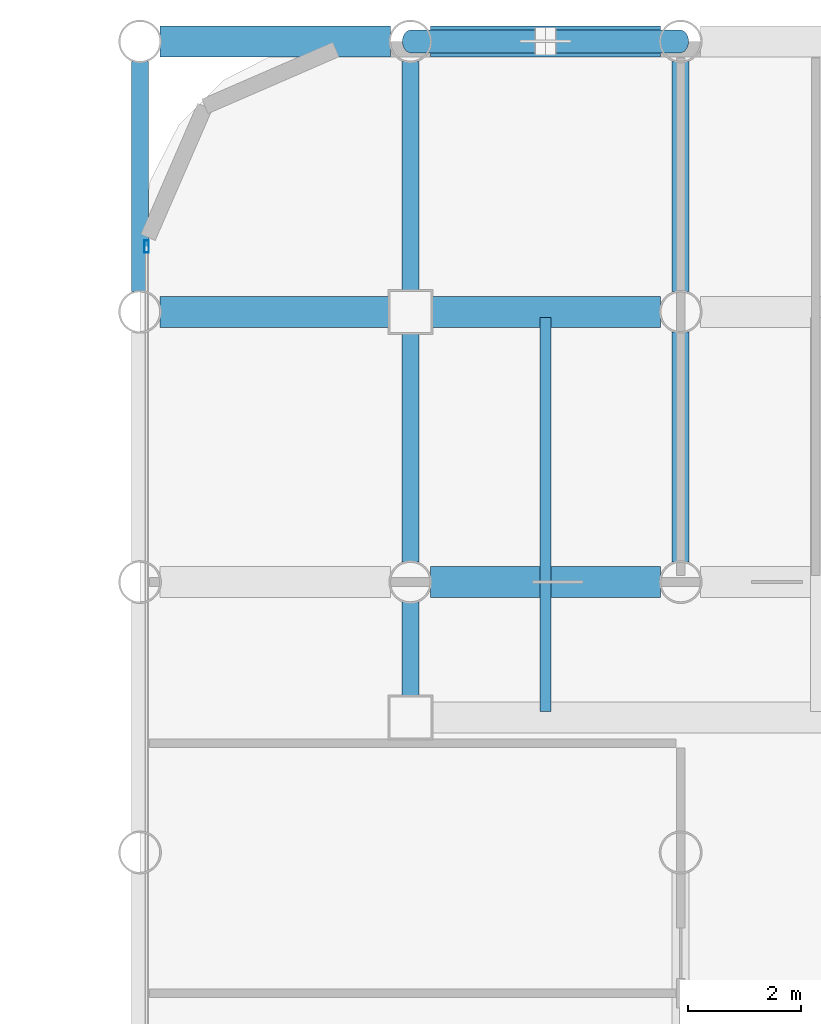
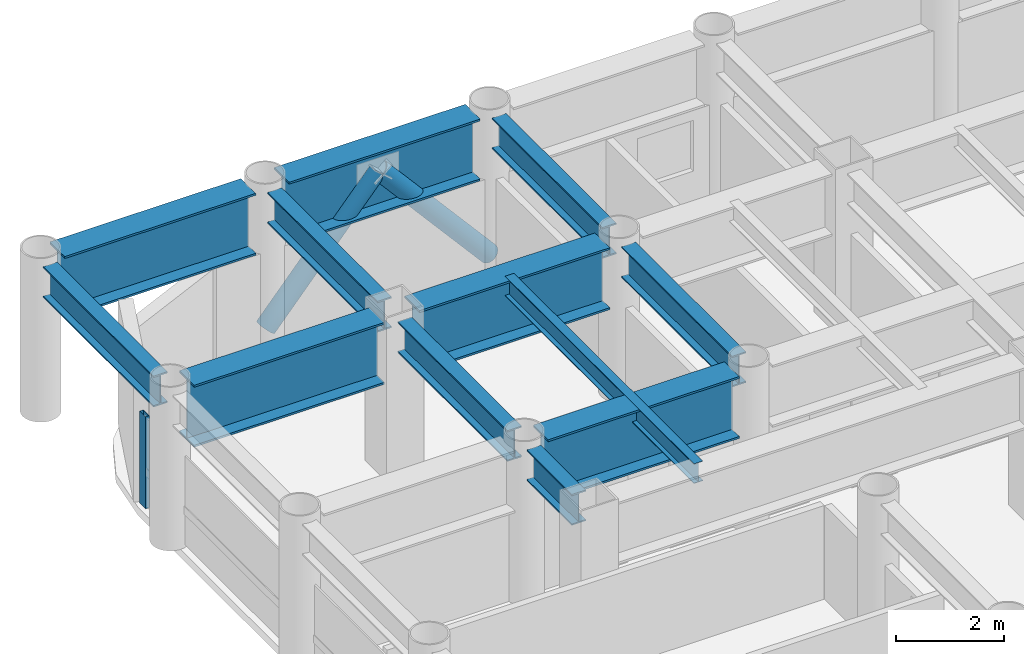
# One storey, part 8 of 22: 12 beams, 3 members, 1 element without a shape of its own.
"""IFC4 building model written with IfcOpenShell, lengths in metres."""

from ifc_helpers import new_model, si_unit, direction, frame, origin, origin_2d, place, context, subcontext, project, spatial, hollow_rectangle, hollow_circle, i_section, extrude, material, layer, layer_set, material_profile, profile_set, type_object, element, aggregate, save


model = new_model("IFC4")

# Units and contexts
model_context = context("Model", 3, precision=1e-05, world=origin(), true_north=direction((0.0, 1.0)))
body_context = subcontext(model_context, "Body", "Model", "MODEL_VIEW")
ifc_project = project(units=[si_unit("LENGTHUNIT", "METRE"), si_unit("AREAUNIT", "SQUARE_METRE"), si_unit("VOLUMEUNIT", "CUBIC_METRE"), si_unit("PLANEANGLEUNIT", "RADIAN"), si_unit("MASSUNIT", "GRAM", prefix="KILO")], contexts=[model_context])

# Site, building, storey
site_placement = place(None, origin())
site = spatial("IfcSite", under=ifc_project, at=site_placement, CompositionType="ELEMENT")
building_placement = place(site_placement, origin())
building = spatial("IfcBuilding", under=site, at=building_placement, Name="Kallvorn Hotel Tower", CompositionType="ELEMENT")
storey_placement = place(building_placement, frame((0.0, 0.0, 59.60009765625)))
storey = spatial("IfcBuildingStorey", under=building, at=storey_placement, Name="L13", CompositionType="ELEMENT", Elevation=59.60009765625)

# Beams
ifc_material_1 = material(Name="Structural steel S355JR", Category="steel")
ifc_material_profile_1 = material_profile(ifc_material_1, i_section(OverallWidth=0.300048828125, OverallDepth=0.699951171875, WebThickness=0.01708984375, FlangeThickness=0.031982421875, at=origin_2d()), Name="HE 700 B")
ifc_profile_set_1 = profile_set([ifc_material_profile_1], Name="Structural steel S355JR")
beam_type_1 = type_object("IfcBeamType", Name="BM_HE700B", PredefinedType="BEAM", material=ifc_profile_set_1)
beam_1_placement = place(storey_placement, frame((-28.800048828125, 14.756103515625, 3.169921875), z_axis=(0.0, 1.0, 0.0), x_axis=(-1.0, 0.0, 0.0)))
element("IfcBeam", 1, at=beam_1_placement, inside=storey, type_object=beam_type_1, Name="L14 Primary Y-Girder 80", PredefinedType="BEAM", context=body_context, shape_type="SweptSolid", body=[
    extrude(i_section(OverallWidth=0.300048828125, OverallDepth=0.699951171875, WebThickness=0.01708984375, FlangeThickness=0.031982421875, at=origin_2d()), origin(), (0.0, 0.0, 1.0), 4.087890625),
])
beam_2_placement = place(storey_placement, frame((-24.0, 7.574951171875, 3.169921875), z_axis=(0.0, 1.0, 0.0), x_axis=(-1.0, 0.0, 0.0)))
element("IfcBeam", 2, at=beam_2_placement, inside=storey, type_object=beam_type_1, Name="L14 Primary Y-Girder 85", PredefinedType="BEAM", context=body_context, shape_type="SweptSolid", body=[
    extrude(i_section(OverallWidth=0.300048828125, OverallDepth=0.699951171875, WebThickness=0.01708984375, FlangeThickness=0.031982421875, at=origin_2d()), origin(), (0.0, 0.0, 1.0), 1.6689453125),
])
beam_3_placement = place(storey_placement, frame((-24.0, 9.9560546875, 3.169921875), z_axis=(0.0, 1.0, 0.0), x_axis=(-1.0, 0.0, 0.0)))
element("IfcBeam", 3, at=beam_3_placement, inside=storey, type_object=beam_type_1, Name="L14 Primary Y-Girder 86", PredefinedType="BEAM", context=body_context, shape_type="SweptSolid", body=[
    extrude(i_section(OverallWidth=0.300048828125, OverallDepth=0.699951171875, WebThickness=0.01708984375, FlangeThickness=0.031982421875, at=origin_2d()), origin(), (0.0, 0.0, 1.0), 4.06884765625),
])
beam_4_placement = place(storey_placement, frame((-24.0, 14.77490234375, 3.169921875), z_axis=(0.0, 1.0, 0.0), x_axis=(-1.0, 0.0, 0.0)))
element("IfcBeam", 4, at=beam_4_placement, inside=storey, type_object=beam_type_1, Name="L14 Primary Y-Girder 87", PredefinedType="BEAM", context=body_context, shape_type="SweptSolid", body=[
    extrude(i_section(OverallWidth=0.300048828125, OverallDepth=0.699951171875, WebThickness=0.01708984375, FlangeThickness=0.031982421875, at=origin_2d()), origin(), (0.0, 0.0, 1.0), 4.069091796875),
])
for number, where, z_axis, x_axis, name in (
    (5, (-19.199951171875, 9.9560546875, 3.169921875), (0.0, 1.0, 0.0), (-1.0, 0.0, 0.0), "L14 Primary Y-Girder 95"),
    (6, (-19.199951171875, 14.756103515625, 3.169921875), (0.0, 1.0, 0.0), (-1.0, 0.0, 0.0), "L14 Primary Y-Girder 96"),
):
    element("IfcBeam", number, at=place(storey_placement, frame(where, z_axis=z_axis, x_axis=x_axis)), inside=storey, type_object=beam_type_1, Name=name, PredefinedType="BEAM", context=body_context, shape_type="SweptSolid", body=[
        extrude(i_section(OverallWidth=0.300048828125, OverallDepth=0.699951171875, WebThickness=0.01708984375, FlangeThickness=0.031982421875, at=origin_2d()), origin(), (0.0, 0.0, 1.0), 4.087890625),
    ])
ifc_material_2 = material(Name="Structural steel S355JR", Category="steel")
ifc_material_profile_2 = material_profile(ifc_material_2, i_section(OverallWidth=0.18994140625, OverallDepth=0.449951171875, WebThickness=0.009521484375, FlangeThickness=0.0146484375, at=origin_2d()), Name="IPE 450")
ifc_profile_set_2 = profile_set([ifc_material_profile_2], Name="Structural steel S355JR")
beam_type_2 = type_object("IfcBeamType", Name="BM_IPE450", PredefinedType="JOIST", material=ifc_profile_set_2)
beam_5_placement = place(storey_placement, frame((-21.60009765625, 7.300048828125, 3.294921875), z_axis=(0.0, 1.0, 0.0), x_axis=(-1.0, 0.0, 0.0)))
element("IfcBeam", 7, at=beam_5_placement, inside=storey, type_object=beam_type_2, Name="L14 Secondary Composite Joist 193", PredefinedType="JOIST", context=body_context, shape_type="SweptSolid", body=[
    extrude(i_section(OverallWidth=0.18994140625, OverallDepth=0.449951171875, WebThickness=0.009521484375, FlangeThickness=0.0146484375, at=origin_2d()), origin(), (0.0, 0.0, 1.0), 7.0),
])
ifc_material_3 = material(Name="Structural steel S355JR", Category="steel")
ifc_material_profile_3 = material_profile(ifc_material_3, i_section(OverallWidth=0.550048828125, OverallDepth=1.39990234375, WebThickness=0.02490234375, FlangeThickness=0.044921875, at=origin_2d()), Name="PG 1400x550x25x45")
ifc_profile_set_3 = profile_set([ifc_material_profile_3], Name="Structural steel S355JR")
beam_type_3 = type_object("IfcBeamType", Name="BM_PG_1400", PredefinedType="BEAM", material=ifc_profile_set_3)
beam_6_placement = place(storey_placement, frame((-23.64404296875, 9.60009765625, 2.81982421875), z_axis=(1.0, 0.0, 0.0), x_axis=(0.0, 1.0, 0.0)))
element("IfcBeam", 8, at=beam_6_placement, inside=storey, type_object=beam_type_3, Name="L14 Primary X-Girder 43", PredefinedType="BEAM", context=body_context, shape_type="SweptSolid", body=[
    extrude(i_section(OverallWidth=0.550048828125, OverallDepth=1.39990234375, WebThickness=0.02490234375, FlangeThickness=0.044921875, at=origin_2d()), origin(), (0.0, 0.0, 1.0), 4.088134765625),
])
for number, where, z_axis, x_axis, name in (
    (9, (-28.444091796875, 14.39990234375, 2.81982421875), (1.0, 0.0, 0.0), (0.0, 1.0, 0.0), "L14 Primary X-Girder 51"),
    (10, (-23.625, 14.39990234375, 2.81982421875), (1.0, 0.0, 0.0), (0.0, 1.0, 0.0), "L14 Primary X-Girder 52"),
):
    element("IfcBeam", number, at=place(storey_placement, frame(where, z_axis=z_axis, x_axis=x_axis)), inside=storey, type_object=beam_type_3, Name=name, PredefinedType="BEAM", context=body_context, shape_type="SweptSolid", body=[
        extrude(i_section(OverallWidth=0.550048828125, OverallDepth=1.39990234375, WebThickness=0.02490234375, FlangeThickness=0.044921875, at=origin_2d()), origin(), (0.0, 0.0, 1.0), 4.069091796875),
    ])
for number, where, z_axis, x_axis, name in (
    (11, (-28.444091796875, 19.199951171875, 2.81982421875), (1.0, 0.0, 0.0), (0.0, 1.0, 0.0), "L14 Primary X-Girder 61"),
    (12, (-23.64404296875, 19.199951171875, 2.81982421875), (1.0, 0.0, 0.0), (0.0, 1.0, 0.0), "L14 Primary X-Girder 62"),
):
    element("IfcBeam", number, at=place(storey_placement, frame(where, z_axis=z_axis, x_axis=x_axis)), inside=storey, type_object=beam_type_3, Name=name, PredefinedType="BEAM", context=body_context, shape_type="SweptSolid", body=[
        extrude(i_section(OverallWidth=0.550048828125, OverallDepth=1.39990234375, WebThickness=0.02490234375, FlangeThickness=0.044921875, at=origin_2d()), origin(), (0.0, 0.0, 1.0), 4.088134765625),
    ])

# Curtain wall, member
ifc_material_4 = material(Name="Thermally broken black-anodised aluminium AA 6063-T6", Category="aluminium")
ifc_layer = layer(ifc_material_4, 0.199951171875)
ifc_layer_set = layer_set([ifc_layer], Name="CW_SYS_3_HOTEL_LOW")
curtain_wall_type = type_object("IfcCurtainWallType", Name="CW_SYS_3_HOTEL_LOW", PredefinedType="USERDEFINED", material=ifc_layer_set)
curtain_wall_placement = place(storey_placement, origin())
curtain_wall = element("IfcCurtainWall", 13, at=curtain_wall_placement, inside=storey, type_object=curtain_wall_type, Name="L13 Dark-Glass Curtain Wall CW-L13-WN", ObjectType="UNITISED CURTAIN WALL", PredefinedType="USERDEFINED")
ifc_material_5 = material(Name="Thermally broken black-anodised aluminium AA 6063-T6", Category="aluminium")
ifc_material_profile_4 = material_profile(ifc_material_5, hollow_rectangle(XDim=0.080078125, YDim=0.219970703125, WallThickness=0.0048828125, at=origin_2d()), Name="MUL 220x80")
ifc_profile_set_4 = profile_set([ifc_material_profile_4], Name="Thermally broken black-anodised aluminium AA 6063-T6")
member_type_1 = type_object("IfcMemberType", Name="CW_MULLION_220x80", PredefinedType="MULLION", material=ifc_profile_set_4)
member_placement = place(storey_placement, frame((-28.679931640625, 15.56005859375, 0.02001953125), z_axis=(0.0, 0.0, 1.0), x_axis=(1.0, 0.0, 0.0)))
member = element("IfcMember", 14, at=member_placement, type_object=member_type_1, Name="CW-L13-WN Mullion 01", PredefinedType="MULLION", context=body_context, shape_type="SweptSolid", body=[
    extrude(hollow_rectangle(XDim=0.080078125, YDim=0.219970703125, WallThickness=0.0048828125, at=origin_2d()), origin(), (0.0, 0.0, 1.0), 2.079833984375),
])
aggregate(curtain_wall, [member])

# Members
ifc_material_6 = material(Name="Structural steel S355J2H", Category="steel")
ifc_material_profile_5 = material_profile(ifc_material_6, hollow_circle(Radius=0.203125, WallThickness=0.01611328125, at=origin_2d()), Name="CHS 406.4x16")
ifc_profile_set_5 = profile_set([ifc_material_profile_5], Name="Structural steel S355J2H")
member_type_2 = type_object("IfcMemberType", Name="MBR_EXO_CHS406", PredefinedType="BRACE", material=ifc_profile_set_5)
for number, where, z_axis, x_axis, name in (
    (15, (-23.98681640625, 19.199951171875, 0.195068359375), (0.65346062529, 0.0, 0.756960508346), (0.0, 1.0, 0.0), "L13 Exoskeleton K-Brace N1A"),
    (16, (-19.213134765625, 19.199951171875, 0.195068359375), (-0.65346062529, 0.0, 0.756960508346), (0.0, -1.0, 0.0), "L13 Exoskeleton K-Brace N1B"),
):
    element("IfcMember", number, at=place(storey_placement, frame(where, z_axis=z_axis, x_axis=x_axis)), inside=storey, type_object=member_type_2, Name=name, PredefinedType="BRACE", context=body_context, shape_type="SweptSolid", body=[
        extrude(hollow_circle(Radius=0.203125, WallThickness=0.01611328125, at=origin_2d()), origin(), (0.0, 0.0, 1.0), 3.632568359375),
    ])

save(model, "model.ifc")
